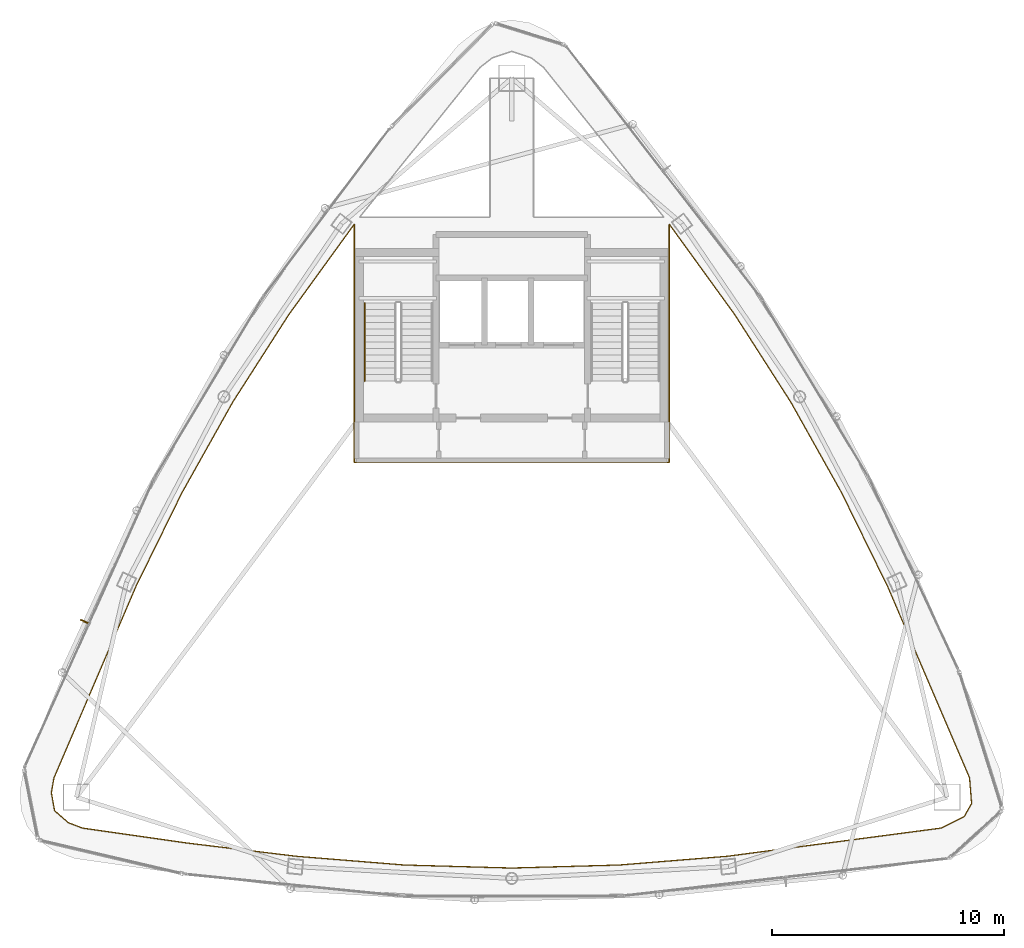
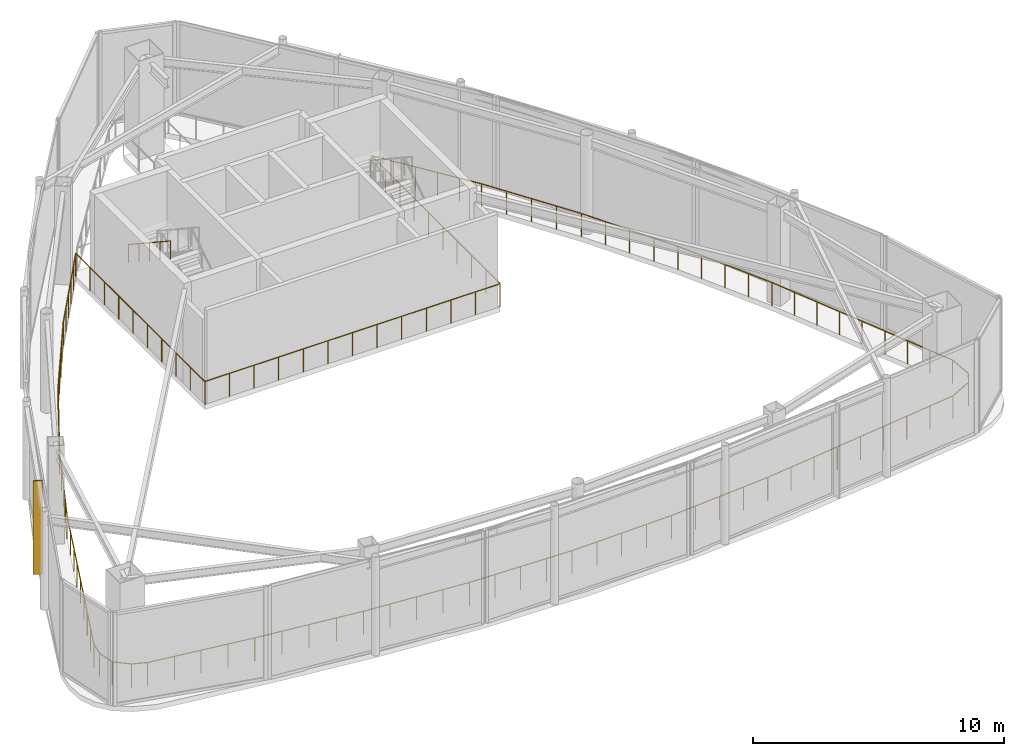
# One storey, part 17 of 19: 2 railings, 1 shading device.
"""IFC4 building model written with IfcOpenShell, lengths in metres."""

from ifc_helpers import new_model, si_unit, direction, frame, origin, origin_2d, place, context, subcontext, project, spatial, rectangle, circle, extrude, material, layer, layer_set, type_object, element, save


model = new_model("IFC4")

# Units and contexts
model_context = context("Model", 3, precision=1e-05, world=origin(), true_north=direction((0.0, 1.0)))
body_context = subcontext(model_context, "Body", "Model", "MODEL_VIEW")
ifc_project = project(units=[si_unit("LENGTHUNIT", "METRE"), si_unit("AREAUNIT", "SQUARE_METRE"), si_unit("VOLUMEUNIT", "CUBIC_METRE"), si_unit("PLANEANGLEUNIT", "RADIAN"), si_unit("MASSUNIT", "GRAM", prefix="KILO")], contexts=[model_context])

# Site, building, storey
site_placement = place(None, origin())
site = spatial("IfcSite", under=ifc_project, at=site_placement, CompositionType="ELEMENT")
building_placement = place(site_placement, origin())
building = spatial("IfcBuilding", under=site, at=building_placement, Name="Orvanel Arch Residences", CompositionType="ELEMENT")
storey_placement = place(building_placement, frame((0.0, 0.0, 295.699951171875)))
storey = spatial("IfcBuildingStorey", under=building, at=storey_placement, Name="L83", CompositionType="ELEMENT", Elevation=295.699951171875)

# Shading device
ifc_material_1 = material(Name="Bronze-anodised aluminium AA6063-T6", Category="aluminium")
ifc_layer = layer(ifc_material_1, 0.06005859375)
ifc_layer_set = layer_set([ifc_layer], Name="Bronze-anodised aluminium AA6063-T6")
shading_device_type = type_object("IfcShadingDeviceType", Name="FIN-BRZ-380", PredefinedType="USERDEFINED", material=ifc_layer_set)
shading_device_placement = place(storey_placement, frame((14.550048828125, 17.93603515625, 0.0), z_axis=(0.0, 0.0, 1.0), x_axis=(-0.912120116172, 0.409923033842, 0.0)))
element("IfcShadingDevice", 1, at=shading_device_placement, inside=storey, type_object=shading_device_type, Name="L83 Anodised Bronze Mullion FIN 01", ObjectType="FIN", PredefinedType="USERDEFINED", context=body_context, shape_type="SweptSolid", body=[
    extrude(rectangle(XDim=0.3798828125, YDim=0.06005859375, at=origin_2d()), origin(), (0.0, 0.0, 1.0), 4.550048828125),
])

# Railings
railing_type_1 = type_object("IfcRailingType", Name="RL-ATR-1150", PredefinedType="BALUSTRADE", material=ifc_material_1)
railing_1_placement = place(storey_placement, frame((42.626953125, 31.18310546875, 0.0)))
element("IfcRailing", 2, at=railing_1_placement, inside=storey, type_object=railing_type_1, Name="L83 Crown Conservatory Void 2 Balustrade", PredefinedType="BALUSTRADE", context=body_context, shape_type="SweptSolid", body=[
    extrude(circle(Radius=0.02392578125, at=origin_2d()), frame((0.000732421875, -0.001220703125, 1.1259765625), z_axis=(0.539449316925, -0.842018072531, 0.0), x_axis=(0.842018072531, 0.539449316925, 0.0)), (0.0, 0.0, 1.0), 4.479248046875),
    extrude(circle(Radius=0.02392578125, at=origin_2d()), frame((2.418701171875, -3.775390625, 1.1259765625), z_axis=(0.488877026727, -0.872352711201, 0.0), x_axis=(0.872352711201, 0.488877026727, 0.0)), (0.0, 0.0, 1.0), 4.47900390625),
    extrude(circle(Radius=0.02392578125, at=origin_2d()), frame((4.60986328125, -7.685546875, 1.1259765625), z_axis=(0.440900053408, -0.897556205986, 0.0), x_axis=(0.897556205986, 0.440900053408, 0.0)), (0.0, 0.0, 1.0), 4.506103515625),
    extrude(circle(Radius=0.02392578125, at=origin_2d()), frame((6.59765625, -11.732666015625, 1.1259765625), z_axis=(0.393624390708, -0.919271363113, 0.0), x_axis=(0.919271363113, 0.393624390708, 0.0)), (0.0, 0.0, 1.0), 8.98974609375),
    extrude(circle(Radius=0.02392578125, at=origin_2d()), frame((10.136962890625, -19.99951171875, 1.1259765625), z_axis=(0.078340921398, -0.996926627207, 0.0), x_axis=(0.996926627207, 0.078340921398, 0.0)), (0.0, 0.0, 1.0), 1.109619140625),
    extrude(circle(Radius=0.02392578125, at=origin_2d()), frame((10.223388671875, -21.1083984375, 1.1259765625), z_axis=(-0.492907253875, -0.870081857688, 0.0), x_axis=(0.870081857688, -0.492907253875, 0.0)), (0.0, 0.0, 1.0), 0.640380859375),
    extrude(circle(Radius=0.02392578125, at=origin_2d()), frame((9.90576171875, -21.667724609375, 1.1259765625), z_axis=(-0.89473528006, -0.446596886035, 0.0), x_axis=(0.446596886035, -0.89473528006, 0.0)), (0.0, 0.0, 1.0), 1.105712890625),
    extrude(circle(Radius=0.02392578125, at=origin_2d()), frame((8.91357421875, -22.162353515625, 1.1259765625), z_axis=(-0.99141795724, -0.130730386908, 0.0), x_axis=(0.130730386908, -0.99141795724, 0.0)), (0.0, 0.0, 1.0), 9.31396484375),
    extrude(circle(Radius=0.02392578125, at=origin_2d()), frame((-0.323486328125, -23.380126953125, 1.1259765625), z_axis=(-0.996741433639, -0.08066296837, 0.0), x_axis=(0.08066296837, -0.996741433639, 0.0)), (0.0, 0.0, 1.0), 4.670166015625),
    extrude(circle(Radius=0.02392578125, at=origin_2d()), frame((-4.9814453125, -23.757080078125, 1.1259765625), z_axis=(-0.999602259989, -0.028201450752, 0.0), x_axis=(0.028201450752, -0.999602259989, 0.0)), (0.0, 0.0, 1.0), 4.645751953125),
    extrude(circle(Radius=0.02392578125, at=origin_2d()), frame((-9.62841796875, -23.88818359375, 1.1259765625), z_axis=(-0.999602259989, 0.028201450752, 0.0), x_axis=(-0.028201450752, -0.999602259989, 0.0)), (0.0, 0.0, 1.0), 4.645751953125),
    extrude(circle(Radius=0.02392578125, at=origin_2d()), frame((-14.275390625, -23.757080078125, 1.1259765625), z_axis=(-0.996741433639, 0.08066296837, 0.0), x_axis=(-0.08066296837, -0.996741433639, 0.0)), (0.0, 0.0, 1.0), 4.670166015625),
    extrude(circle(Radius=0.02392578125, at=origin_2d()), frame((-18.933349609375, -23.3798828125, 1.1259765625), z_axis=(-0.992737718176, 0.120298889897, 0.0), x_axis=(-0.120298889897, -0.992737718176, 0.0)), (0.0, 0.0, 1.0), 4.71142578125),
    extrude(circle(Radius=0.02392578125, at=origin_2d()), frame((-23.613525390625, -22.812744140625, 1.1259765625), z_axis=(-0.989952675685, 0.141399080277, 0.0), x_axis=(-0.141399080277, -0.989952675685, 0.0)), (0.0, 0.0, 1.0), 4.60009765625),
    extrude(circle(Radius=0.02392578125, at=origin_2d()), frame((-28.17041015625, -22.16162109375, 1.1259765625), z_axis=(-0.933423126079, 0.358777462643, 0.0), x_axis=(-0.358777462643, -0.933423126079, 0.0)), (0.0, 0.0, 1.0), 0.646240234375),
    extrude(circle(Radius=0.02392578125, at=origin_2d()), frame((-28.776123046875, -21.92822265625, 1.1259765625), z_axis=(-0.753867638629, 0.657026318673, 0.0), x_axis=(-0.657026318673, -0.753867638629, 0.0)), (0.0, 0.0, 1.0), 0.781005859375),
    extrude(circle(Radius=0.02392578125, at=origin_2d()), frame((-29.3662109375, -21.41259765625, 1.1259765625), z_axis=(-0.175683017964, 0.984446787388, 0.0), x_axis=(-0.984446787388, -0.175683017964, 0.0)), (0.0, 0.0, 1.0), 0.7822265625),
    extrude(circle(Radius=0.02392578125, at=origin_2d()), frame((-29.503662109375, -20.6396484375, 1.1259765625), z_axis=(0.173124037048, 0.984900029341, 0.0), x_axis=(-0.984900029341, 0.173124037048, 0.0)), (0.0, 0.0, 1.0), 0.64990234375),
    extrude(circle(Radius=0.02392578125, at=origin_2d()), frame((-29.390380859375, -19.99658203125, 1.1259765625), z_axis=(0.393624390708, 0.919271363113, 0.0), x_axis=(-0.919271363113, 0.393624390708, 0.0)), (0.0, 0.0, 1.0), 8.98974609375),
    extrude(circle(Radius=0.02392578125, at=origin_2d()), frame((-25.850341796875, -11.729736328125, 1.1259765625), z_axis=(0.440900053408, 0.897556205986, 0.0), x_axis=(-0.897556205986, 0.440900053408, 0.0)), (0.0, 0.0, 1.0), 4.506103515625),
    extrude(circle(Radius=0.02392578125, at=origin_2d()), frame((-23.8623046875, -7.682861328125, 1.1259765625), z_axis=(0.488877026727, 0.872352711201, 0.0), x_axis=(-0.872352711201, 0.488877026727, 0.0)), (0.0, 0.0, 1.0), 4.47900390625),
    extrude(circle(Radius=0.02392578125, at=origin_2d()), frame((-21.671142578125, -3.77294921875, 1.1259765625), z_axis=(0.539449316925, 0.842018072531, 0.0), x_axis=(-0.842018072531, 0.539449316925, 0.0)), (0.0, 0.0, 1.0), 4.479248046875),
    extrude(circle(Radius=0.02392578125, at=origin_2d()), frame((-19.2529296875, 0.001220703125, 1.1259765625), z_axis=(0.58641472095, 0.810010972181, 0.0), x_axis=(-0.810010972181, 0.58641472095, 0.0)), (0.0, 0.0, 1.0), 4.817626953125),
    extrude(circle(Radius=0.02392578125, at=origin_2d()), frame((-16.427001953125, 3.9033203125, 1.1259765625), z_axis=(0.0, -1.0, 0.0), x_axis=(1.0, 0.0, 0.0)), (0.0, 0.0, 1.0), 10.284912109375),
    extrude(circle(Radius=0.02392578125, at=origin_2d()), frame((-16.425537109375, -6.383056640625, 1.1259765625), z_axis=(1.0, 0.0, 0.0), x_axis=(0.0, 1.0, 0.0)), (0.0, 0.0, 1.0), 13.59716796875),
    extrude(circle(Radius=0.02392578125, at=origin_2d()), frame((-2.826904296875, -6.381591796875, 1.1259765625), z_axis=(0.0, 1.0, 0.0), x_axis=(-1.0, 0.0, 0.0)), (0.0, 0.0, 1.0), 10.284912109375),
    extrude(circle(Radius=0.02392578125, at=origin_2d()), frame((-2.825927734375, 3.903564453125, 1.1259765625), z_axis=(0.58641472095, -0.810010972181, 0.0), x_axis=(0.810010972181, 0.58641472095, 0.0)), (0.0, 0.0, 1.0), 4.817626953125),
    extrude(circle(Radius=0.02099609375, at=origin_2d()), origin(), (0.0, 0.0, 1.0), 1.099853515625),
    extrude(circle(Radius=0.02099609375, at=origin_2d()), frame((0.6044921875, -0.943603515625, 0.0)), (0.0, 0.0, 1.0), 1.099853515625),
    extrude(circle(Radius=0.02099609375, at=origin_2d()), frame((1.208984375, -1.88720703125, 0.0)), (0.0, 0.0, 1.0), 1.099853515625),
    extrude(circle(Radius=0.02099609375, at=origin_2d()), frame((1.8134765625, -2.83056640625, 0.0)), (0.0, 0.0, 1.0), 1.099853515625),
    extrude(circle(Radius=0.02099609375, at=origin_2d()), frame((2.41796875, -3.774169921875, 0.0)), (0.0, 0.0, 1.0), 1.099853515625),
    extrude(circle(Radius=0.02099609375, at=origin_2d()), frame((2.9658203125, -4.751708984375, 0.0)), (0.0, 0.0, 1.0), 1.099853515625),
    extrude(circle(Radius=0.02099609375, at=origin_2d()), frame((3.513671875, -5.72900390625, 0.0)), (0.0, 0.0, 1.0), 1.099853515625),
    extrude(circle(Radius=0.02099609375, at=origin_2d()), frame((4.061279296875, -6.70654296875, 0.0)), (0.0, 0.0, 1.0), 1.099853515625),
    extrude(circle(Radius=0.02099609375, at=origin_2d()), frame((4.609130859375, -7.68408203125, 0.0)), (0.0, 0.0, 1.0), 1.099853515625),
    extrude(circle(Radius=0.02099609375, at=origin_2d()), frame((5.106201171875, -8.69580078125, 0.0)), (0.0, 0.0, 1.0), 1.099853515625),
    extrude(circle(Radius=0.02099609375, at=origin_2d()), frame((5.60302734375, -9.70751953125, 0.0)), (0.0, 0.0, 1.0), 1.099853515625),
    extrude(circle(Radius=0.02099609375, at=origin_2d()), frame((6.10009765625, -10.719482421875, 0.0)), (0.0, 0.0, 1.0), 1.099853515625),
    extrude(circle(Radius=0.02099609375, at=origin_2d()), frame((6.59716796875, -11.731201171875, 0.0)), (0.0, 0.0, 1.0), 1.099853515625),
    extrude(circle(Radius=0.02099609375, at=origin_2d()), frame((7.03955078125, -12.7646484375, 0.0)), (0.0, 0.0, 1.0), 1.099853515625),
    extrude(circle(Radius=0.02099609375, at=origin_2d()), frame((7.482177734375, -13.7978515625, 0.0)), (0.0, 0.0, 1.0), 1.099853515625),
    extrude(circle(Radius=0.02099609375, at=origin_2d()), frame((7.924560546875, -14.831298828125, 0.0)), (0.0, 0.0, 1.0), 1.099853515625),
    extrude(circle(Radius=0.02099609375, at=origin_2d()), frame((8.3671875, -15.86474609375, 0.0)), (0.0, 0.0, 1.0), 1.099853515625),
    extrude(circle(Radius=0.02099609375, at=origin_2d()), frame((8.8095703125, -16.89794921875, 0.0)), (0.0, 0.0, 1.0), 1.099853515625),
    extrude(circle(Radius=0.02099609375, at=origin_2d()), frame((9.251953125, -17.931396484375, 0.0)), (0.0, 0.0, 1.0), 1.099853515625),
    extrude(circle(Radius=0.02099609375, at=origin_2d()), frame((9.694580078125, -18.964599609375, 0.0)), (0.0, 0.0, 1.0), 1.099853515625),
    extrude(circle(Radius=0.02099609375, at=origin_2d()), frame((10.136962890625, -19.998046875, 0.0)), (0.0, 0.0, 1.0), 1.099853515625),
    extrude(circle(Radius=0.02099609375, at=origin_2d()), frame((10.22412109375, -21.107177734375, 0.0)), (0.0, 0.0, 1.0), 1.099853515625),
    extrude(circle(Radius=0.02099609375, at=origin_2d()), frame((9.906982421875, -21.6669921875, 0.0)), (0.0, 0.0, 1.0), 1.099853515625),
    extrude(circle(Radius=0.02099609375, at=origin_2d()), frame((8.9150390625, -22.162109375, 0.0)), (0.0, 0.0, 1.0), 1.099853515625),
    extrude(circle(Radius=0.02099609375, at=origin_2d()), frame((7.760498046875, -22.314453125, 0.0)), (0.0, 0.0, 1.0), 1.099853515625),
    extrude(circle(Radius=0.02099609375, at=origin_2d()), frame((6.605712890625, -22.466552734375, 0.0)), (0.0, 0.0, 1.0), 1.099853515625),
    extrude(circle(Radius=0.02099609375, at=origin_2d()), frame((5.451171875, -22.618896484375, 0.0)), (0.0, 0.0, 1.0), 1.099853515625),
    extrude(circle(Radius=0.02099609375, at=origin_2d()), frame((4.29638671875, -22.77099609375, 0.0)), (0.0, 0.0, 1.0), 1.099853515625),
    extrude(circle(Radius=0.02099609375, at=origin_2d()), frame((3.141845703125, -22.92333984375, 0.0)), (0.0, 0.0, 1.0), 1.099853515625),
    extrude(circle(Radius=0.02099609375, at=origin_2d()), frame((1.9873046875, -23.07568359375, 0.0)), (0.0, 0.0, 1.0), 1.099853515625),
    extrude(circle(Radius=0.02099609375, at=origin_2d()), frame((0.83251953125, -23.227783203125, 0.0)), (0.0, 0.0, 1.0), 1.099853515625),
    extrude(circle(Radius=0.02099609375, at=origin_2d()), frame((-0.322021484375, -23.380126953125, 0.0)), (0.0, 0.0, 1.0), 1.099853515625),
    extrude(circle(Radius=0.02099609375, at=origin_2d()), frame((-1.486572265625, -23.474365234375, 0.0)), (0.0, 0.0, 1.0), 1.099853515625),
    extrude(circle(Radius=0.02099609375, at=origin_2d()), frame((-2.65087890625, -23.568603515625, 0.0)), (0.0, 0.0, 1.0), 1.099853515625),
    extrude(circle(Radius=0.02099609375, at=origin_2d()), frame((-3.8154296875, -23.662841796875, 0.0)), (0.0, 0.0, 1.0), 1.099853515625),
    extrude(circle(Radius=0.02099609375, at=origin_2d()), frame((-4.97998046875, -23.757080078125, 0.0)), (0.0, 0.0, 1.0), 1.099853515625),
    extrude(circle(Radius=0.02099609375, at=origin_2d()), frame((-6.1416015625, -23.789794921875, 0.0)), (0.0, 0.0, 1.0), 1.099853515625),
    extrude(circle(Radius=0.02099609375, at=origin_2d()), frame((-7.303466796875, -23.82275390625, 0.0)), (0.0, 0.0, 1.0), 1.099853515625),
    extrude(circle(Radius=0.02099609375, at=origin_2d()), frame((-8.46533203125, -23.85546875, 0.0)), (0.0, 0.0, 1.0), 1.099853515625),
    extrude(circle(Radius=0.02099609375, at=origin_2d()), frame((-9.626953125, -23.88818359375, 0.0)), (0.0, 0.0, 1.0), 1.099853515625),
    extrude(circle(Radius=0.02099609375, at=origin_2d()), frame((-10.78857421875, -23.85546875, 0.0)), (0.0, 0.0, 1.0), 1.099853515625),
    extrude(circle(Radius=0.02099609375, at=origin_2d()), frame((-11.950439453125, -23.82275390625, 0.0)), (0.0, 0.0, 1.0), 1.099853515625),
    extrude(circle(Radius=0.02099609375, at=origin_2d()), frame((-13.1123046875, -23.789794921875, 0.0)), (0.0, 0.0, 1.0), 1.099853515625),
    extrude(circle(Radius=0.02099609375, at=origin_2d()), frame((-14.27392578125, -23.757080078125, 0.0)), (0.0, 0.0, 1.0), 1.099853515625),
    extrude(circle(Radius=0.02099609375, at=origin_2d()), frame((-15.4384765625, -23.662841796875, 0.0)), (0.0, 0.0, 1.0), 1.099853515625),
    extrude(circle(Radius=0.02099609375, at=origin_2d()), frame((-16.60302734375, -23.568603515625, 0.0)), (0.0, 0.0, 1.0), 1.099853515625),
    extrude(circle(Radius=0.02099609375, at=origin_2d()), frame((-17.767333984375, -23.474365234375, 0.0)), (0.0, 0.0, 1.0), 1.099853515625),
    extrude(circle(Radius=0.02099609375, at=origin_2d()), frame((-18.931884765625, -23.380126953125, 0.0)), (0.0, 0.0, 1.0), 1.099853515625),
    extrude(circle(Radius=0.02099609375, at=origin_2d()), frame((-20.10205078125, -23.23828125, 0.0)), (0.0, 0.0, 1.0), 1.099853515625),
    extrude(circle(Radius=0.02099609375, at=origin_2d()), frame((-21.27197265625, -23.0966796875, 0.0)), (0.0, 0.0, 1.0), 1.099853515625),
    extrude(circle(Radius=0.02099609375, at=origin_2d()), frame((-22.44189453125, -22.954833984375, 0.0)), (0.0, 0.0, 1.0), 1.099853515625),
    extrude(circle(Radius=0.02099609375, at=origin_2d()), frame((-23.612060546875, -22.81298828125, 0.0)), (0.0, 0.0, 1.0), 1.099853515625),
    extrude(circle(Radius=0.02099609375, at=origin_2d()), frame((-24.751220703125, -22.650390625, 0.0)), (0.0, 0.0, 1.0), 1.099853515625),
    extrude(circle(Radius=0.02099609375, at=origin_2d()), frame((-25.890625, -22.487548828125, 0.0)), (0.0, 0.0, 1.0), 1.099853515625),
    extrude(circle(Radius=0.02099609375, at=origin_2d()), frame((-27.02978515625, -22.32470703125, 0.0)), (0.0, 0.0, 1.0), 1.099853515625),
    extrude(circle(Radius=0.02099609375, at=origin_2d()), frame((-28.1689453125, -22.162109375, 0.0)), (0.0, 0.0, 1.0), 1.099853515625),
    extrude(circle(Radius=0.02099609375, at=origin_2d()), frame((-28.77490234375, -21.92919921875, 0.0)), (0.0, 0.0, 1.0), 1.099853515625),
    extrude(circle(Radius=0.02099609375, at=origin_2d()), frame((-29.365966796875, -21.4140625, 0.0)), (0.0, 0.0, 1.0), 1.099853515625),
    extrude(circle(Radius=0.02099609375, at=origin_2d()), frame((-29.50390625, -20.64111328125, 0.0)), (0.0, 0.0, 1.0), 1.099853515625),
    extrude(circle(Radius=0.02099609375, at=origin_2d()), frame((-29.390869140625, -19.998046875, 0.0)), (0.0, 0.0, 1.0), 1.099853515625),
    extrude(circle(Radius=0.02099609375, at=origin_2d()), frame((-28.948486328125, -18.964599609375, 0.0)), (0.0, 0.0, 1.0), 1.099853515625),
    extrude(circle(Radius=0.02099609375, at=origin_2d()), frame((-28.505859375, -17.931396484375, 0.0)), (0.0, 0.0, 1.0), 1.099853515625),
    extrude(circle(Radius=0.02099609375, at=origin_2d()), frame((-28.0634765625, -16.89794921875, 0.0)), (0.0, 0.0, 1.0), 1.099853515625),
    extrude(circle(Radius=0.02099609375, at=origin_2d()), frame((-27.62109375, -15.86474609375, 0.0)), (0.0, 0.0, 1.0), 1.099853515625),
    extrude(circle(Radius=0.02099609375, at=origin_2d()), frame((-27.178466796875, -14.831298828125, 0.0)), (0.0, 0.0, 1.0), 1.099853515625),
    extrude(circle(Radius=0.02099609375, at=origin_2d()), frame((-26.736083984375, -13.7978515625, 0.0)), (0.0, 0.0, 1.0), 1.099853515625),
    extrude(circle(Radius=0.02099609375, at=origin_2d()), frame((-26.29345703125, -12.7646484375, 0.0)), (0.0, 0.0, 1.0), 1.099853515625),
    extrude(circle(Radius=0.02099609375, at=origin_2d()), frame((-25.85107421875, -11.731201171875, 0.0)), (0.0, 0.0, 1.0), 1.099853515625),
    extrude(circle(Radius=0.02099609375, at=origin_2d()), frame((-25.35400390625, -10.719482421875, 0.0)), (0.0, 0.0, 1.0), 1.099853515625),
    extrude(circle(Radius=0.02099609375, at=origin_2d()), frame((-24.85693359375, -9.70751953125, 0.0)), (0.0, 0.0, 1.0), 1.099853515625),
    extrude(circle(Radius=0.02099609375, at=origin_2d()), frame((-24.360107421875, -8.69580078125, 0.0)), (0.0, 0.0, 1.0), 1.099853515625),
    extrude(circle(Radius=0.02099609375, at=origin_2d()), frame((-23.863037109375, -7.68408203125, 0.0)), (0.0, 0.0, 1.0), 1.099853515625),
    extrude(circle(Radius=0.02099609375, at=origin_2d()), frame((-23.315185546875, -6.70654296875, 0.0)), (0.0, 0.0, 1.0), 1.099853515625),
    extrude(circle(Radius=0.02099609375, at=origin_2d()), frame((-22.767578125, -5.72900390625, 0.0)), (0.0, 0.0, 1.0), 1.099853515625),
    extrude(circle(Radius=0.02099609375, at=origin_2d()), frame((-22.2197265625, -4.751708984375, 0.0)), (0.0, 0.0, 1.0), 1.099853515625),
    extrude(circle(Radius=0.02099609375, at=origin_2d()), frame((-21.671875, -3.774169921875, 0.0)), (0.0, 0.0, 1.0), 1.099853515625),
    extrude(circle(Radius=0.02099609375, at=origin_2d()), frame((-21.0673828125, -2.83056640625, 0.0)), (0.0, 0.0, 1.0), 1.099853515625),
    extrude(circle(Radius=0.02099609375, at=origin_2d()), frame((-20.462890625, -1.88720703125, 0.0)), (0.0, 0.0, 1.0), 1.099853515625),
    extrude(circle(Radius=0.02099609375, at=origin_2d()), frame((-19.8583984375, -0.943603515625, 0.0)), (0.0, 0.0, 1.0), 1.099853515625),
    extrude(circle(Radius=0.02099609375, at=origin_2d()), frame((-19.25390625, 0.0, 0.0)), (0.0, 0.0, 1.0), 1.099853515625),
    extrude(circle(Radius=0.02099609375, at=origin_2d()), frame((-18.6884765625, 0.781005859375, 0.0)), (0.0, 0.0, 1.0), 1.099853515625),
    extrude(circle(Radius=0.02099609375, at=origin_2d()), frame((-18.123046875, 1.56201171875, 0.0)), (0.0, 0.0, 1.0), 1.099853515625),
    extrude(circle(Radius=0.02099609375, at=origin_2d()), frame((-17.557861328125, 2.3427734375, 0.0)), (0.0, 0.0, 1.0), 1.099853515625),
    extrude(circle(Radius=0.02099609375, at=origin_2d()), frame((-16.992431640625, 3.123779296875, 0.0)), (0.0, 0.0, 1.0), 1.099853515625),
    extrude(circle(Radius=0.02099609375, at=origin_2d()), frame((-16.427001953125, 3.90478515625, 0.0)), (0.0, 0.0, 1.0), 1.099853515625),
    extrude(circle(Radius=0.02099609375, at=origin_2d()), frame((-16.427001953125, 2.76171875, 0.0)), (0.0, 0.0, 1.0), 1.099853515625),
    extrude(circle(Radius=0.02099609375, at=origin_2d()), frame((-16.427001953125, 1.61865234375, 0.0)), (0.0, 0.0, 1.0), 1.099853515625),
    extrude(circle(Radius=0.02099609375, at=origin_2d()), frame((-16.427001953125, 0.4755859375, 0.0)), (0.0, 0.0, 1.0), 1.099853515625),
    extrude(circle(Radius=0.02099609375, at=origin_2d()), frame((-16.427001953125, -0.66748046875, 0.0)), (0.0, 0.0, 1.0), 1.099853515625),
    extrude(circle(Radius=0.02099609375, at=origin_2d()), frame((-16.427001953125, -1.810791015625, 0.0)), (0.0, 0.0, 1.0), 1.099853515625),
    extrude(circle(Radius=0.02099609375, at=origin_2d()), frame((-16.427001953125, -2.953857421875, 0.0)), (0.0, 0.0, 1.0), 1.099853515625),
    extrude(circle(Radius=0.02099609375, at=origin_2d()), frame((-16.427001953125, -4.096923828125, 0.0)), (0.0, 0.0, 1.0), 1.099853515625),
    extrude(circle(Radius=0.02099609375, at=origin_2d()), frame((-16.427001953125, -5.239990234375, 0.0)), (0.0, 0.0, 1.0), 1.099853515625),
    extrude(circle(Radius=0.02099609375, at=origin_2d()), frame((-16.427001953125, -6.383056640625, 0.0)), (0.0, 0.0, 1.0), 1.099853515625),
    extrude(circle(Radius=0.02099609375, at=origin_2d()), frame((-15.293701171875, -6.383056640625, 0.0)), (0.0, 0.0, 1.0), 1.099853515625),
    extrude(circle(Radius=0.02099609375, at=origin_2d()), frame((-14.160400390625, -6.383056640625, 0.0)), (0.0, 0.0, 1.0), 1.099853515625),
    extrude(circle(Radius=0.02099609375, at=origin_2d()), frame((-13.02685546875, -6.383056640625, 0.0)), (0.0, 0.0, 1.0), 1.099853515625),
    extrude(circle(Radius=0.02099609375, at=origin_2d()), frame((-11.8935546875, -6.383056640625, 0.0)), (0.0, 0.0, 1.0), 1.099853515625),
    extrude(circle(Radius=0.02099609375, at=origin_2d()), frame((-10.76025390625, -6.383056640625, 0.0)), (0.0, 0.0, 1.0), 1.099853515625),
    extrude(circle(Radius=0.02099609375, at=origin_2d()), frame((-9.626953125, -6.383056640625, 0.0)), (0.0, 0.0, 1.0), 1.099853515625),
    extrude(circle(Radius=0.02099609375, at=origin_2d()), frame((-8.49365234375, -6.383056640625, 0.0)), (0.0, 0.0, 1.0), 1.099853515625),
    extrude(circle(Radius=0.02099609375, at=origin_2d()), frame((-7.3603515625, -6.383056640625, 0.0)), (0.0, 0.0, 1.0), 1.099853515625),
    extrude(circle(Radius=0.02099609375, at=origin_2d()), frame((-6.22705078125, -6.383056640625, 0.0)), (0.0, 0.0, 1.0), 1.099853515625),
    extrude(circle(Radius=0.02099609375, at=origin_2d()), frame((-5.093505859375, -6.383056640625, 0.0)), (0.0, 0.0, 1.0), 1.099853515625),
    extrude(circle(Radius=0.02099609375, at=origin_2d()), frame((-3.960205078125, -6.383056640625, 0.0)), (0.0, 0.0, 1.0), 1.099853515625),
    extrude(circle(Radius=0.02099609375, at=origin_2d()), frame((-2.826904296875, -6.383056640625, 0.0)), (0.0, 0.0, 1.0), 1.099853515625),
    extrude(circle(Radius=0.02099609375, at=origin_2d()), frame((-2.826904296875, -5.239990234375, 0.0)), (0.0, 0.0, 1.0), 1.099853515625),
    extrude(circle(Radius=0.02099609375, at=origin_2d()), frame((-2.826904296875, -4.096923828125, 0.0)), (0.0, 0.0, 1.0), 1.099853515625),
    extrude(circle(Radius=0.02099609375, at=origin_2d()), frame((-2.826904296875, -2.953857421875, 0.0)), (0.0, 0.0, 1.0), 1.099853515625),
    extrude(circle(Radius=0.02099609375, at=origin_2d()), frame((-2.826904296875, -1.810791015625, 0.0)), (0.0, 0.0, 1.0), 1.099853515625),
    extrude(circle(Radius=0.02099609375, at=origin_2d()), frame((-2.826904296875, -0.66748046875, 0.0)), (0.0, 0.0, 1.0), 1.099853515625),
    extrude(circle(Radius=0.02099609375, at=origin_2d()), frame((-2.826904296875, 0.4755859375, 0.0)), (0.0, 0.0, 1.0), 1.099853515625),
    extrude(circle(Radius=0.02099609375, at=origin_2d()), frame((-2.826904296875, 1.61865234375, 0.0)), (0.0, 0.0, 1.0), 1.099853515625),
    extrude(circle(Radius=0.02099609375, at=origin_2d()), frame((-2.826904296875, 2.76171875, 0.0)), (0.0, 0.0, 1.0), 1.099853515625),
    extrude(circle(Radius=0.02099609375, at=origin_2d()), frame((-2.826904296875, 3.90478515625, 0.0)), (0.0, 0.0, 1.0), 1.099853515625),
    extrude(circle(Radius=0.02099609375, at=origin_2d()), frame((-2.261474609375, 3.123779296875, 0.0)), (0.0, 0.0, 1.0), 1.099853515625),
    extrude(circle(Radius=0.02099609375, at=origin_2d()), frame((-1.696044921875, 2.3427734375, 0.0)), (0.0, 0.0, 1.0), 1.099853515625),
    extrude(circle(Radius=0.02099609375, at=origin_2d()), frame((-1.130859375, 1.56201171875, 0.0)), (0.0, 0.0, 1.0), 1.099853515625),
    extrude(circle(Radius=0.02099609375, at=origin_2d()), frame((-0.5654296875, 0.781005859375, 0.0)), (0.0, 0.0, 1.0), 1.099853515625),
])
ifc_material_2 = material(Name="Structural steel AS/NZS 1163 C350L0 (Grade 350)", Category="steel")
railing_type_2 = type_object("IfcRailingType", Name="RL-STAIR-HAND", PredefinedType="HANDRAIL", material=ifc_material_2)
railing_2_placement = place(storey_placement, frame((26.64990234375, 31.679931640625, 2.584716796875)))
element("IfcRailing", 3, at=railing_2_placement, inside=storey, type_object=railing_type_2, Name="L83 ST-1 stair handrail 2", PredefinedType="HANDRAIL", context=body_context, shape_type="SweptSolid", body=[
    extrude(circle(Radius=0.02392578125, at=origin_2d()), frame((0.0, -0.001220703125, 0.876708984375), z_axis=(0.0, -0.834858096282, 0.550465220583), x_axis=(1.0, 0.0, 0.0)), (0.0, 0.0, 1.0), 4.021484375),
    extrude(circle(Radius=0.02099609375, at=origin_2d()), origin(), (0.0, 0.0, 1.0), 0.849853515625),
    extrude(circle(Radius=0.02099609375, at=origin_2d()), frame((0.0, -0.83984375, 0.5537109375)), (0.0, 0.0, 1.0), 0.849853515625),
    extrude(circle(Radius=0.02099609375, at=origin_2d()), frame((0.0, -1.679931640625, 1.107666015625)), (0.0, 0.0, 1.0), 0.849853515625),
    extrude(circle(Radius=0.02099609375, at=origin_2d()), frame((0.0, -2.52001953125, 1.66162109375)), (0.0, 0.0, 1.0), 0.849853515625),
    extrude(circle(Radius=0.02099609375, at=origin_2d()), frame((0.0, -3.35986328125, 2.21533203125)), (0.0, 0.0, 1.0), 0.849853515625),
])

save(model, "model.ifc")
